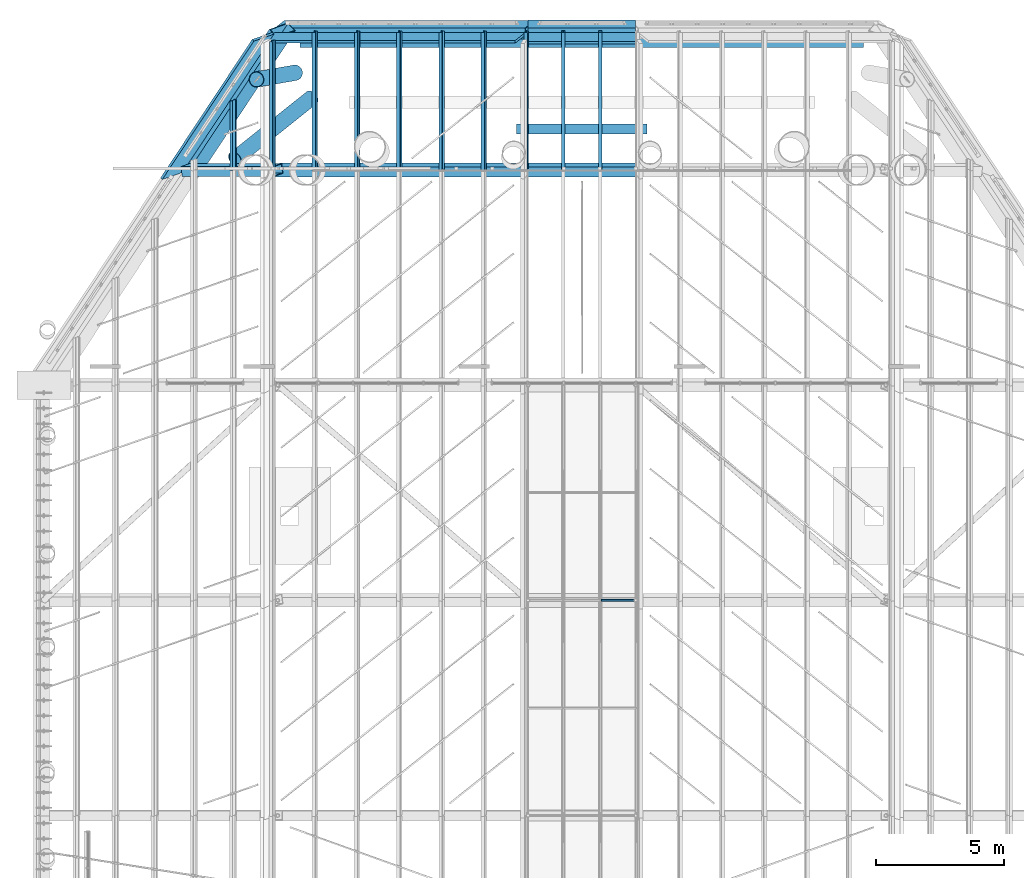
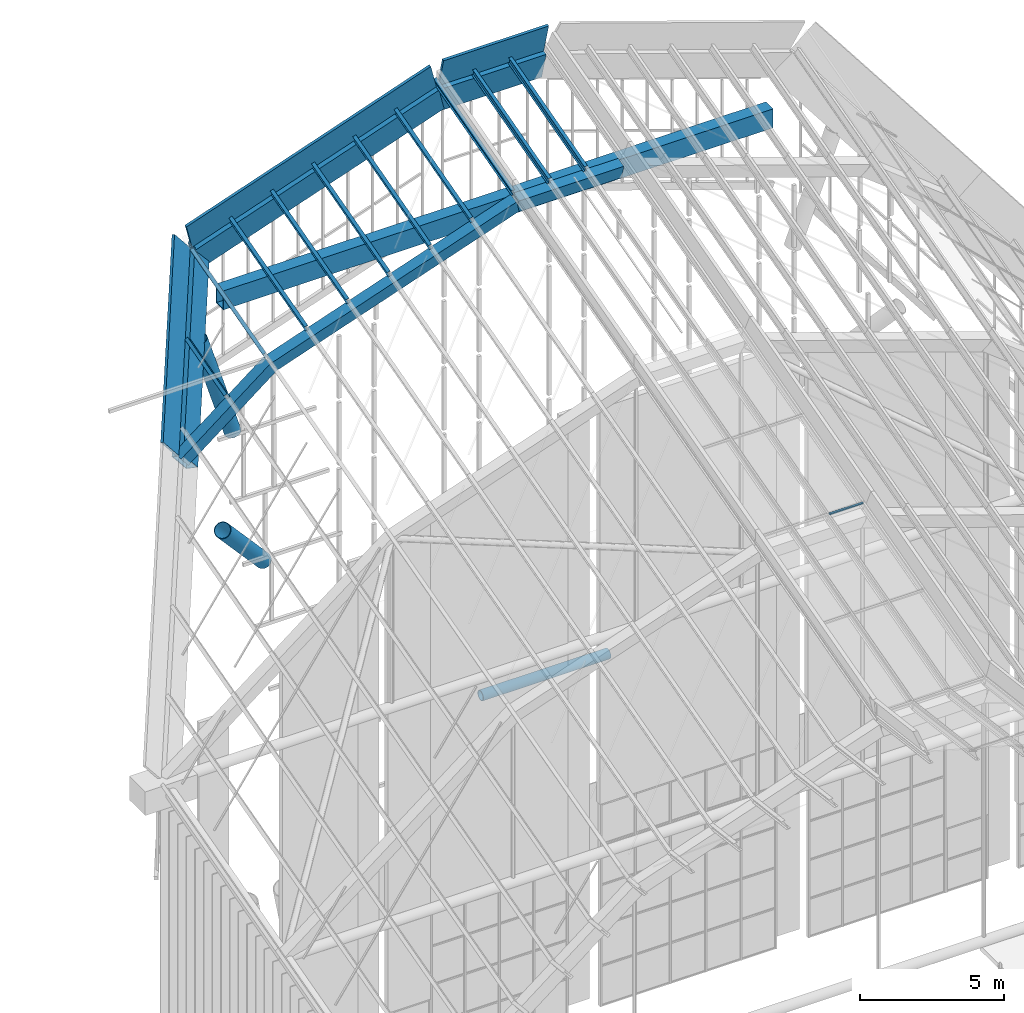
# One storey, part 60 of 126: 17 members, 7 beams.
"""IFC4 building model written with IfcOpenShell, lengths in metres."""

from ifc_helpers import new_model, si_unit, direction, frame, origin, origin_2d, place, context, subcontext, project, spatial, polyline, rectangle, hollow_circle, i_section, outline, extrude, material, material_profile, profile_set, type_object, element, save


model = new_model("IFC4")

# Units and contexts
model_context = context("Model", 3, precision=1e-05, world=origin(), true_north=direction((0.0, 1.0)))
body_context = subcontext(model_context, "Body", "Model", "MODEL_VIEW")
ifc_project = project(units=[si_unit("LENGTHUNIT", "METRE"), si_unit("AREAUNIT", "SQUARE_METRE"), si_unit("VOLUMEUNIT", "CUBIC_METRE"), si_unit("PLANEANGLEUNIT", "RADIAN"), si_unit("MASSUNIT", "GRAM", prefix="KILO")], contexts=[model_context])

# Site, building, storey
site_placement = place(None, origin())
site = spatial("IfcSite", under=ifc_project, at=site_placement, CompositionType="ELEMENT")
building_placement = place(site_placement, origin())
building = spatial("IfcBuilding", under=site, at=building_placement, Name="Sava Quay Ferry Terminal", CompositionType="ELEMENT")
storey_placement = place(building_placement, frame((0.0, 0.0, 15.0)))
storey = spatial("IfcBuildingStorey", under=building, at=storey_placement, Name="L03", CompositionType="ELEMENT", Elevation=15.0)

# Member
ifc_material_1 = material(Name="Steel S355", Category="steel")
ifc_material_profile_1 = material_profile(ifc_material_1, hollow_circle(Radius=0.203125, WallThickness=0.01611328125, at=origin_2d()), Name="CHS 406.4 x 16.0")
ifc_profile_set_1 = profile_set([ifc_material_profile_1], Name="Steel S355")
member_type_1 = type_object("IfcMemberType", Name="D arch tie CHS 406.4x16", PredefinedType="USERDEFINED", material=ifc_profile_set_1)
member_1_placement = place(storey_placement, frame((65.550048828125, 110.800048828125, 6.773681640625), z_axis=(-1.0, 0.0, 0.0), x_axis=(0.0, -1.0, 0.0)))
element("IfcMember", 1, at=member_1_placement, inside=storey, type_object=member_type_1, Name="Departure hall prow tip tie", ObjectType="ARCH TIE", PredefinedType="USERDEFINED", context=body_context, shape_type="SweptSolid", body=[
    extrude(hollow_circle(Radius=0.203125, WallThickness=0.01611328125, at=origin_2d()), origin(), (0.0, 0.0, 1.0), 5.10009765625),
])

# Beams
ifc_material_2 = material(Name="Steel S355", Category="steel")
ifc_material_profile_2 = material_profile(ifc_material_2, outline(polyline([(-0.199951171875, -0.300048828125), (0.199951171875, -0.300048828125), (0.199951171875, 0.300048828125), (-0.199951171875, 0.300048828125), (-0.199951171875, -0.300048828125)]), holes=[polyline([(-0.175048828125, -0.27490234375), (-0.175048828125, 0.27490234375), (0.175048828125, 0.27490234375), (0.175048828125, -0.27490234375), (-0.175048828125, -0.27490234375)])]), Name="Box 600x400x25 built-up")
ifc_profile_set_2 = profile_set([ifc_material_profile_2], Name="Steel S355")
beam_type_1 = type_object("IfcBeamType", Name="D folded rib Box 600x400x25", PredefinedType="BEAM", material=ifc_profile_set_2)
beam_1_placement = place(storey_placement, frame((47.557373046875, 109.199951171875, 22.264892578125), z_axis=(0.787999064152, 0.0, 0.615676436852), x_axis=(-0.129733207142, 0.977547206391, 0.166044434542)))
element("IfcBeam", 2, at=beam_1_placement, inside=storey, type_object=beam_type_1, Name="Departure hall nose frame R7 seg 1", PredefinedType="BEAM", context=body_context, shape_type="SweptSolid", body=[
    extrude(outline(polyline([(-0.199951171875, -0.300048828125), (0.199951171875, -0.300048828125), (0.199951171875, 0.300048828125), (-0.199951171875, 0.300048828125), (-0.199951171875, -0.300048828125)]), holes=[polyline([(-0.175048828125, -0.27490234375), (-0.175048828125, 0.27490234375), (0.175048828125, 0.27490234375), (0.175048828125, -0.27490234375), (-0.175048828125, -0.27490234375)])]), origin(), (0.0, 0.0, 1.0), 4.53369140625),
])
beam_2_placement = place(storey_placement, frame((51.1298828125, 109.199951171875, 25.05615234375), z_axis=(0.945520775213, 0.0, 0.325561766247), x_axis=(-0.081521326209, 0.968141944568, 0.236760318764)))
element("IfcBeam", 3, at=beam_2_placement, inside=storey, type_object=beam_type_1, Name="Departure hall nose frame R7 seg 2", PredefinedType="BEAM", context=body_context, shape_type="SweptSolid", body=[
    extrude(outline(polyline([(-0.199951171875, -0.300048828125), (0.199951171875, -0.300048828125), (0.199951171875, 0.300048828125), (-0.199951171875, 0.300048828125), (-0.199951171875, -0.300048828125)]), holes=[polyline([(-0.175048828125, -0.27490234375), (-0.175048828125, 0.27490234375), (0.175048828125, 0.27490234375), (0.175048828125, -0.27490234375), (-0.175048828125, -0.27490234375)])]), origin(), (0.0, 0.0, 1.0), 10.3330078125),
])
beam_3_placement = place(storey_placement, frame((60.89990234375, 109.199951171875, 28.420166015625), z_axis=(1.0, 0.0, 0.0), x_axis=(0.0, 0.964563327363, 0.263851449696)))
element("IfcBeam", 4, at=beam_3_placement, inside=storey, type_object=beam_type_1, Name="Departure hall nose frame R7 seg 3", PredefinedType="BEAM", context=body_context, shape_type="SweptSolid", body=[
    extrude(outline(polyline([(-0.199951171875, -0.300048828125), (0.199951171875, -0.300048828125), (0.199951171875, 0.300048828125), (-0.199951171875, 0.300048828125), (-0.199951171875, -0.300048828125)]), holes=[polyline([(-0.175048828125, -0.27490234375), (-0.175048828125, 0.27490234375), (0.175048828125, 0.27490234375), (0.175048828125, -0.27490234375), (-0.175048828125, -0.27490234375)])]), origin(), (0.0, 0.0, 1.0), 4.2001953125),
])

# Member
ifc_material_3 = material(Name="Aluminium EN AW-6063 T6", Category="aluminium")
ifc_material_profile_3 = material_profile(ifc_material_3, rectangle(XDim=0.06005859375, YDim=0.06005859375, at=origin_2d()), Name="Bar 60 x 60")
ifc_profile_set_3 = profile_set([ifc_material_profile_3], Name="Aluminium EN AW-6063 T6")
member_type_2 = type_object("IfcMemberType", Name="Glazing bar 60x60", PredefinedType="USERDEFINED", material=ifc_profile_set_3)
member_2_placement = place(storey_placement, frame((63.762451171875, 92.39990234375, 24.4462890625), z_axis=(1.0, 0.0, 0.0), x_axis=(0.0, 0.964556832817, 0.263875190699)))
element("IfcMember", 5, at=member_2_placement, inside=storey, type_object=member_type_2, Name="Departure hall glazing bar D-R5-GT2.2", ObjectType="GLAZING BAR", PredefinedType="USERDEFINED", context=body_context, shape_type="SweptSolid", body=[
    extrude(rectangle(XDim=0.06005859375, YDim=0.06005859375, at=origin_2d()), origin(), (0.0, 0.0, 1.0), 1.3544921875),
])

# Beams
ifc_material_4 = material(Name="Steel S355", Category="steel")
ifc_material_profile_4 = material_profile(ifc_material_4, outline(polyline([(-0.22509765625, -0.60009765625), (0.22509765625, -0.60009765625), (0.22509765625, 0.60009765625), (-0.22509765625, 0.60009765625), (-0.22509765625, -0.60009765625)]), holes=[polyline([(-0.195068359375, -0.570068359375), (-0.195068359375, 0.570068359375), (0.195068359375, 0.570068359375), (0.195068359375, -0.570068359375), (-0.195068359375, -0.570068359375)])]), Name="Box 1200x450x30 built-up")
ifc_profile_set_4 = profile_set([ifc_material_profile_4], Name="Steel S355")
beam_type_2 = type_object("IfcBeamType", Name="Prow edge girder Box 1200x450x30", PredefinedType="BEAM", material=ifc_profile_set_4)
beam_4_placement = place(storey_placement, frame((47.738037109375, 109.26318359375, 22.033935546875), z_axis=(0.460668830303, 0.696339360177, 0.550359631747), x_axis=(-0.652372359139, 0.68608880523, -0.322013130741)))
element("IfcBeam", 6, at=beam_4_placement, inside=storey, type_object=beam_type_2, Name="Departure hall prow edge girder L2", PredefinedType="BEAM", context=body_context, shape_type="SweptSolid", body=[
    extrude(outline(polyline([(-0.22509765625, -0.60009765625), (0.22509765625, -0.60009765625), (0.22509765625, 0.60009765625), (-0.22509765625, 0.60009765625), (-0.22509765625, -0.60009765625)]), holes=[polyline([(-0.195068359375, -0.570068359375), (-0.195068359375, 0.570068359375), (0.195068359375, 0.570068359375), (0.195068359375, -0.570068359375), (-0.195068359375, -0.570068359375)])]), origin(), (0.0, 0.0, 1.0), 7.755126953125),
])
beam_5_placement = place(storey_placement, frame((51.224609375, 114.675048828125, 26.258544921875), z_axis=(0.945520775213, 0.0, 0.325561766247), x_axis=(-0.081513936456, 0.968147815058, 0.23673885689)))
element("IfcBeam", 7, at=beam_5_placement, inside=storey, type_object=beam_type_2, Name="Departure hall prow tip edge girder", PredefinedType="BEAM", context=body_context, shape_type="SweptSolid", body=[
    extrude(outline(polyline([(-0.22509765625, -0.60009765625), (0.22509765625, -0.60009765625), (0.22509765625, 0.60009765625), (-0.22509765625, 0.60009765625), (-0.22509765625, -0.60009765625)]), holes=[polyline([(-0.195068359375, -0.570068359375), (-0.195068359375, 0.570068359375), (0.195068359375, 0.570068359375), (0.195068359375, -0.570068359375), (-0.195068359375, -0.570068359375)])]), origin(), (0.0, 0.0, 1.0), 10.3330078125),
])
beam_6_placement = place(storey_placement, frame((60.89990234375, 114.67919921875, 29.60791015625), z_axis=(1.0, 0.0, 0.0), x_axis=(0.0, 0.964569821325, 0.263827708533)))
element("IfcBeam", 8, at=beam_6_placement, inside=storey, type_object=beam_type_2, Name="Departure hall prow tip edge girder", PredefinedType="BEAM", context=body_context, shape_type="SweptSolid", body=[
    extrude(outline(polyline([(-0.22509765625, -0.60009765625), (0.22509765625, -0.60009765625), (0.22509765625, 0.60009765625), (-0.22509765625, 0.60009765625), (-0.22509765625, -0.60009765625)]), holes=[polyline([(-0.195068359375, -0.570068359375), (-0.195068359375, 0.570068359375), (0.195068359375, 0.570068359375), (0.195068359375, -0.570068359375), (-0.195068359375, -0.570068359375)])]), origin(), (0.0, 0.0, 1.0), 4.2001953125),
])

# Members
ifc_material_5 = material(Name="Steel S355", Category="steel")
ifc_material_profile_5 = material_profile(ifc_material_5, hollow_circle(Radius=0.304931640625, WallThickness=0.02001953125, at=origin_2d()), Name="CHS 610 x 20.0")
ifc_profile_set_5 = profile_set([ifc_material_profile_5], Name="Steel S355")
member_type_3 = type_object("IfcMemberType", Name="Prow knee brace CHS 610x20", PredefinedType="BRACE", material=ifc_profile_set_5)
member_3_placement = place(storey_placement, frame((52.44921875, 112.016357421875, 14.570068359375), z_axis=(-0.558381558386, -0.445091374471, 0.700074070099), x_axis=(0.623315963138, -0.78197008261, 0.0)))
element("IfcMember", 9, at=member_3_placement, inside=storey, type_object=member_type_3, Name="Departure hall prow knee brace L1 to the nose frame leg", PredefinedType="BRACE", context=body_context, shape_type="SweptSolid", body=[
    extrude(hollow_circle(Radius=0.304931640625, WallThickness=0.02001953125, at=origin_2d()), origin(), (0.0, 0.0, 1.0), 5.355224609375),
])
member_4_placement = place(storey_placement, frame((51.80419921875, 112.994873046875, 19.634033203125), z_axis=(-0.310017352012, -0.053962064685, 0.949198260126), x_axis=(0.17148307298, -0.985187066339, 0.0)))
element("IfcMember", 10, at=member_4_placement, inside=storey, type_object=member_type_3, Name="Departure hall prow knee brace L2 under the edge girder", PredefinedType="BRACE", context=body_context, shape_type="SweptSolid", body=[
    extrude(hollow_circle(Radius=0.304931640625, WallThickness=0.02001953125, at=origin_2d()), origin(), (0.0, 0.0, 1.0), 4.845458984375),
])

# Beam
ifc_material_6 = material(Name="Steel S355", Category="steel")
ifc_material_profile_6 = material_profile(ifc_material_6, outline(polyline([(-0.25, -0.39990234375), (0.25, -0.39990234375), (0.25, 0.39990234375), (-0.25, 0.39990234375), (-0.25, -0.39990234375)]), holes=[polyline([(-0.219970703125, -0.3701171875), (-0.219970703125, 0.3701171875), (0.219970703125, 0.3701171875), (0.219970703125, -0.3701171875), (-0.219970703125, -0.3701171875)])]), Name="Box 800x500x30 built-up")
ifc_profile_set_6 = profile_set([ifc_material_profile_6], Name="Steel S355")
beam_type_3 = type_object("IfcBeamType", Name="Prow tie beam Box 800x500x30", PredefinedType="BEAM", material=ifc_profile_set_6)
beam_7_placement = place(storey_placement, frame((52.00732421875, 114.23974609375, 24.5), z_axis=(1.0, 0.0, 0.0), x_axis=(0.0, 1.0, 0.0)))
element("IfcBeam", 11, at=beam_7_placement, inside=storey, type_object=beam_type_3, Name="Departure hall prow tie beam", PredefinedType="BEAM", context=body_context, shape_type="SweptSolid", body=[
    extrude(outline(polyline([(-0.25, -0.39990234375), (0.25, -0.39990234375), (0.25, 0.39990234375), (-0.25, 0.39990234375), (-0.25, -0.39990234375)]), holes=[polyline([(-0.219970703125, -0.3701171875), (-0.219970703125, 0.3701171875), (0.219970703125, 0.3701171875), (0.219970703125, -0.3701171875), (-0.219970703125, -0.3701171875)])]), origin(), (0.0, 0.0, 1.0), 21.9853515625),
])

# Members
ifc_material_7 = material(Name="Steel S355", Category="steel")
ifc_material_profile_7 = material_profile(ifc_material_7, rectangle(XDim=0.10009765625, YDim=1.31005859375, at=origin_2d()), Name="Blade 100 x 1310")
ifc_profile_set_7 = profile_set([ifc_material_profile_7], Name="Steel S355")
member_type_4 = type_object("IfcMemberType", Name="Roof prow edge blade 100 x 1310", PredefinedType="USERDEFINED", material=ifc_profile_set_7)
member_5_placement = place(storey_placement, frame((46.98291015625, 108.998779296875, 23.000244140625), z_axis=(0.460693630395, 0.696329261357, 0.550351650031), x_axis=(-0.652352482421, 0.686106752247, -0.322015159891)))
element("IfcMember", 12, at=member_5_placement, inside=storey, type_object=member_type_4, Name="Departure hall prow edge blade L2", ObjectType="EDGE BLADE", PredefinedType="USERDEFINED", context=body_context, shape_type="SweptSolid", body=[
    extrude(rectangle(XDim=0.10009765625, YDim=1.31005859375, at=origin_2d()), origin(), (0.0, 0.0, 1.0), 7.755126953125),
])
member_6_placement = place(storey_placement, frame((50.8291015625, 114.361083984375, 27.406982421875), z_axis=(0.945520775213, 0.0, 0.325561766247), x_axis=(-0.081513936456, 0.968147815058, 0.23673885689)))
element("IfcMember", 13, at=member_6_placement, inside=storey, type_object=member_type_4, Name="Departure hall prow tip edge blade", ObjectType="EDGE BLADE", PredefinedType="USERDEFINED", context=body_context, shape_type="SweptSolid", body=[
    extrude(rectangle(XDim=0.10009765625, YDim=1.31005859375, at=origin_2d()), origin(), (0.0, 0.0, 1.0), 10.3330078125),
])
member_7_placement = place(storey_placement, frame((60.89990234375, 114.34814453125, 30.81787109375), z_axis=(1.0, 0.0, 0.0), x_axis=(0.0, 0.964569821325, 0.263827708533)))
element("IfcMember", 14, at=member_7_placement, inside=storey, type_object=member_type_4, Name="Departure hall prow tip edge blade", ObjectType="EDGE BLADE", PredefinedType="USERDEFINED", context=body_context, shape_type="SweptSolid", body=[
    extrude(rectangle(XDim=0.10009765625, YDim=1.31005859375, at=origin_2d()), origin(), (0.0, 0.0, 1.0), 4.2001953125),
])
ifc_material_8 = material(Name="Steel S355", Category="steel")
ifc_material_profile_8 = material_profile(ifc_material_8, i_section(OverallWidth=0.135009765625, OverallDepth=0.27001953125, WebThickness=0.006591796875, FlangeThickness=0.01025390625, at=origin_2d()), Name="IPE 270")
ifc_profile_set_8 = profile_set([ifc_material_profile_8], Name="Steel S355")
member_type_5 = type_object("IfcMemberType", Name="Roof purlin IPE 270", PredefinedType="PURLIN", material=ifc_profile_set_8)
member_8_placement = place(storey_placement, frame((49.39404296875, 109.199951171875, 24.2646484375), z_axis=(0.0, 0.964572190587, 0.263819046216), x_axis=(-0.79861600741, 0.158777093044, -0.580518998339)))
element("IfcMember", 15, at=member_8_placement, inside=storey, type_object=member_type_5, Name="Departure hall purlin bay 8 M0.5", PredefinedType="PURLIN", context=body_context, shape_type="SweptSolid", body=[
    extrude(i_section(OverallWidth=0.135009765625, OverallDepth=0.27001953125, WebThickness=0.006591796875, FlangeThickness=0.01025390625, at=origin_2d()), origin(), (0.0, 0.0, 1.0), 2.826171875),
])
member_9_placement = place(storey_placement, frame((50.92529296875, 109.199951171875, 25.460693359375), z_axis=(0.0, 0.964570574302, 0.263824955589), x_axis=(-0.885496565881, 0.122585189447, -0.448183782774)))
element("IfcMember", 16, at=member_9_placement, inside=storey, type_object=member_type_5, Name="Departure hall purlin bay 8 V1", PredefinedType="PURLIN", context=body_context, shape_type="SweptSolid", body=[
    extrude(i_section(OverallWidth=0.135009765625, OverallDepth=0.27001953125, WebThickness=0.006591796875, FlangeThickness=0.01025390625, at=origin_2d()), origin(), (0.0, 0.0, 1.0), 5.2255859375),
])
for number, where, z_axis, x_axis, name in (
    (17, (52.575927734375, 109.199951171875, 26.029296875), (0.0, 0.964580431033, 0.263788915743), (-0.94902590028, 0.083145764355, -0.30403391664), "Departure hall purlin bay 8 M1.1"),
    (18, (54.2265625, 109.199951171875, 26.59765625), (0.0, 0.964569334269, 0.263829489232), (-0.949025874204, 0.083158573755, -0.304030494691), "Departure hall purlin bay 8 M1.2"),
    (19, (55.87744140625, 109.199951171875, 27.166015625), (0.0, 0.964569334269, 0.263829489232), (-0.94902590028, 0.083158553041, -0.304030418961), "Departure hall purlin bay 8 M1.3"),
    (20, (57.528076171875, 109.199951171875, 27.734375), (0.0, 0.964569334269, 0.263829489232), (-0.94902590028, 0.083158553041, -0.304030418961), "Departure hall purlin bay 8 M1.4"),
    (21, (59.178955078125, 109.199951171875, 28.302734375), (0.0, 0.964569334269, 0.263829489232), (-0.94902590028, 0.083158553041, -0.304030418961), "Departure hall purlin bay 8 M1.5"),
    (22, (60.82958984375, 109.199951171875, 28.87109375), (0.0, 0.964569334269, 0.263829489232), (-0.987174217804, 0.04211950309, -0.153990295679), "Departure hall purlin bay 8 V2"),
    (23, (62.276611328125, 109.199951171875, 28.87109375), (0.0, 0.964569334269, 0.263829489232), (-1.0, 3.863e-09, -1.4124e-08), "Departure hall purlin bay 8 M2.1"),
    (24, (63.723388671875, 109.199951171875, 28.87109375), (0.0, 0.964569334269, 0.263829489232), (-1.0, -3.863e-09, 1.4124e-08), "Departure hall purlin bay 8 M2.2"),
):
    element("IfcMember", number, at=place(storey_placement, frame(where, z_axis=z_axis, x_axis=x_axis)), inside=storey, type_object=member_type_5, Name=name, PredefinedType="PURLIN", context=body_context, shape_type="SweptSolid", body=[
        extrude(i_section(OverallWidth=0.135009765625, OverallDepth=0.27001953125, WebThickness=0.006591796875, FlangeThickness=0.01025390625, at=origin_2d()), origin(), (0.0, 0.0, 1.0), 5.598388671875),
    ])

save(model, "model.ifc")
